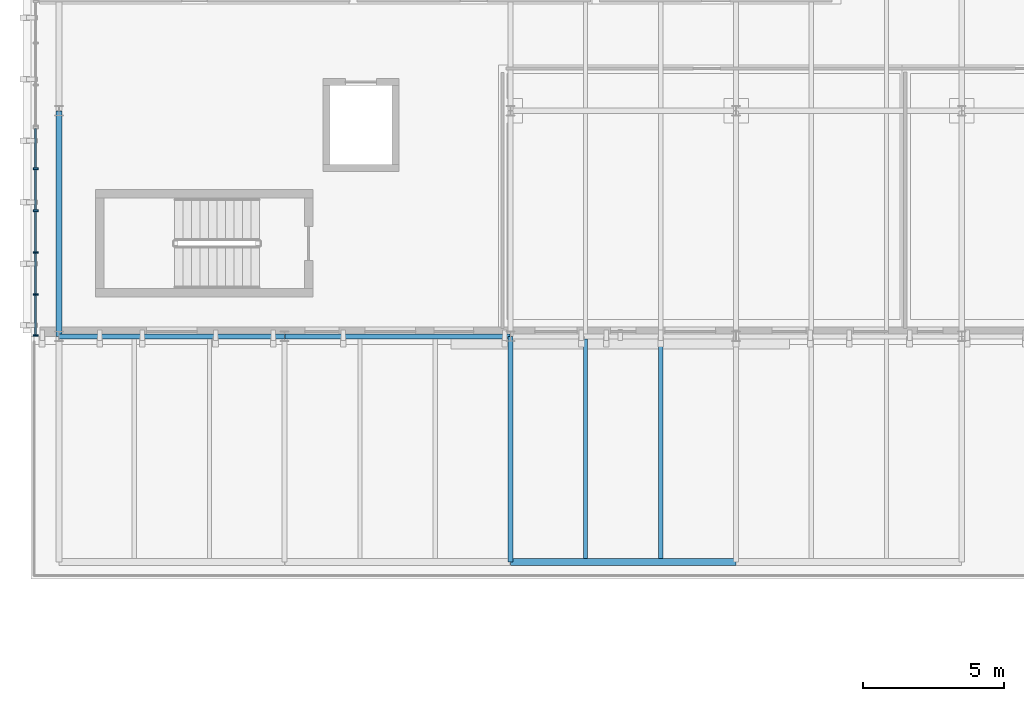
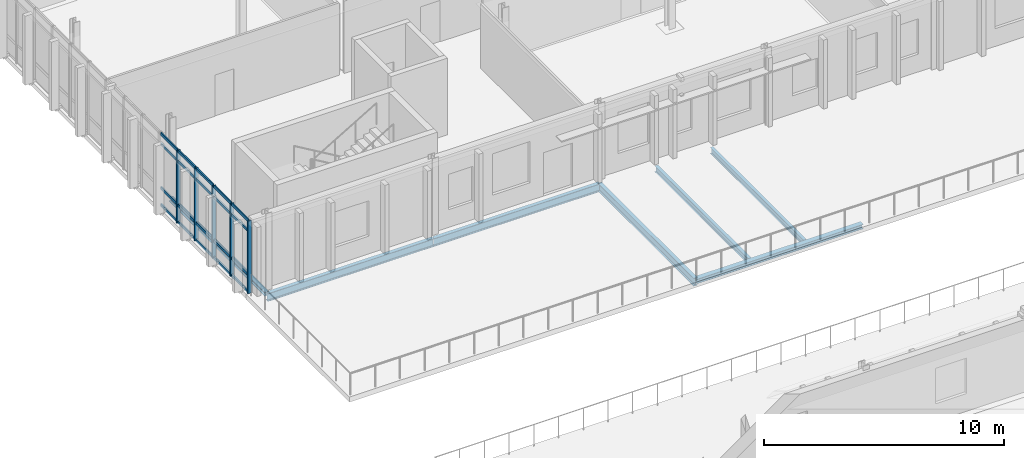
# One storey, part 7 of 43: 25 members, 7 beams, 1 element without a shape of its own.
"""IFC4 building model written with IfcOpenShell, lengths in metres."""

from ifc_helpers import new_model, si_unit, direction, frame, origin, origin_2d, place, context, subcontext, project, spatial, rectangle, i_section, extrude, material, material_profile, profile_set, type_object, element, aggregate, save


model = new_model("IFC4")

# Units and contexts
model_context = context("Model", 3, precision=1e-05, world=origin(), true_north=direction((0.0, 1.0)))
body_context = subcontext(model_context, "Body", "Model", "MODEL_VIEW")
ifc_project = project(units=[si_unit("LENGTHUNIT", "METRE"), si_unit("AREAUNIT", "SQUARE_METRE"), si_unit("VOLUMEUNIT", "CUBIC_METRE"), si_unit("PLANEANGLEUNIT", "RADIAN"), si_unit("MASSUNIT", "GRAM", prefix="KILO")], contexts=[model_context])

# Site, building, storey
site_placement = place(None, origin())
site = spatial("IfcSite", under=ifc_project, at=site_placement, CompositionType="ELEMENT")
building_placement = place(site_placement, origin())
building = spatial("IfcBuilding", under=site, at=building_placement, Name="Cymarion Research Institute", CompositionType="ELEMENT")
storey_placement = place(building_placement, frame((0.0, 0.0, 22.800048828125)))
storey = spatial("IfcBuildingStorey", under=building, at=storey_placement, Name="L05", CompositionType="ELEMENT", Elevation=22.800048828125)

# Curtain wall, members
ifc_material_1 = material(Name="Anodised aluminium unitised curtain wall with Low-E glazing", Category="aluminium")
curtain_wall_type = type_object("IfcCurtainWallType", Name="UNITISED CURTAIN WALL CW56 7430X3680", PredefinedType="NOTDEFINED", material=ifc_material_1)
curtain_wall_placement = place(storey_placement, origin())
curtain_wall = element("IfcCurtainWall", 1, at=curtain_wall_placement, inside=storey, type_object=curtain_wall_type, Name="L05 V5 unitised curtain wall CW56 #214", PredefinedType="NOTDEFINED")
ifc_material_2 = material(Name="Anodised aluminium framing", Category="aluminium")
ifc_material_profile_1 = material_profile(ifc_material_2, rectangle(XDim=0.06005859375, YDim=0.179931640625, at=origin_2d()), Name="ALU MULLION 60x180")
ifc_profile_set_1 = profile_set([ifc_material_profile_1], Name="Anodised aluminium framing")
member_type_1 = type_object("IfcMemberType", Name="CURTAIN WALL MULLION ML01 60X180", PredefinedType="MULLION", material=ifc_profile_set_1)
member_1_placement = place(storey_placement, frame((5.77001953125, 99.44091796875, 0.0), z_axis=(0.0, 0.0, 1.0), x_axis=(0.0, -1.0, 0.0)))
member_1 = element("IfcMember", 2, at=member_1_placement, type_object=member_type_1, Name="CW56 mullion 2", PredefinedType="MULLION", context=body_context, shape_type="SweptSolid", body=[
    extrude(rectangle(XDim=0.06005859375, YDim=0.179931640625, at=origin_2d()), origin(), (0.0, 0.0, 1.0), 3.679931640625),
])
member_2_placement = place(storey_placement, frame((5.77001953125, 97.95556640625, 0.0), z_axis=(0.0, 0.0, 1.0), x_axis=(0.0, -1.0, 0.0)))
member_2 = element("IfcMember", 3, at=member_2_placement, type_object=member_type_1, Name="CW56 mullion 3", PredefinedType="MULLION", context=body_context, shape_type="SweptSolid", body=[
    extrude(rectangle(XDim=0.06005859375, YDim=0.179931640625, at=origin_2d()), origin(), (0.0, 0.0, 1.0), 3.679931640625),
])
member_3_placement = place(storey_placement, frame((5.77001953125, 96.470458984375, 0.0), z_axis=(0.0, 0.0, 1.0), x_axis=(0.0, -1.0, 0.0)))
member_3 = element("IfcMember", 4, at=member_3_placement, type_object=member_type_1, Name="CW56 mullion 4", PredefinedType="MULLION", context=body_context, shape_type="SweptSolid", body=[
    extrude(rectangle(XDim=0.06005859375, YDim=0.179931640625, at=origin_2d()), origin(), (0.0, 0.0, 1.0), 3.679931640625),
])
member_4_placement = place(storey_placement, frame((5.77001953125, 94.985107421875, 0.0), z_axis=(0.0, 0.0, 1.0), x_axis=(0.0, -1.0, 0.0)))
member_4 = element("IfcMember", 5, at=member_4_placement, type_object=member_type_1, Name="CW56 mullion 5", PredefinedType="MULLION", context=body_context, shape_type="SweptSolid", body=[
    extrude(rectangle(XDim=0.06005859375, YDim=0.179931640625, at=origin_2d()), origin(), (0.0, 0.0, 1.0), 3.679931640625),
])
member_5_placement = place(storey_placement, frame((5.77001953125, 93.530029296875, 0.0), z_axis=(0.0, 0.0, 1.0), x_axis=(0.0, -1.0, 0.0)))
member_5 = element("IfcMember", 6, at=member_5_placement, type_object=member_type_1, Name="CW56 mullion 6", PredefinedType="MULLION", context=body_context, shape_type="SweptSolid", body=[
    extrude(rectangle(XDim=0.06005859375, YDim=0.179931640625, at=origin_2d()), origin(), (0.0, 0.0, 1.0), 3.679931640625),
])
ifc_material_profile_2 = material_profile(ifc_material_2, rectangle(XDim=0.06005859375, YDim=0.14990234375, at=origin_2d()), Name="ALU TRANSOM 60x150")
ifc_profile_set_2 = profile_set([ifc_material_profile_2], Name="Anodised aluminium framing")
member_type_2 = type_object("IfcMemberType", Name="CURTAIN WALL TRANSOM TR01 60X150", PredefinedType="USERDEFINED", material=ifc_profile_set_2)
member_6_placement = place(storey_placement, frame((5.77001953125, 100.865966796875, 0.030029296875), z_axis=(0.0, -1.0, 0.0), x_axis=(1.0, 0.0, 0.0)))
member_6 = element("IfcMember", 7, at=member_6_placement, type_object=member_type_2, Name="CW56 transom 1.1", ObjectType="TRANSOM", PredefinedType="USERDEFINED", context=body_context, shape_type="SweptSolid", body=[
    extrude(rectangle(XDim=0.06005859375, YDim=0.14990234375, at=origin_2d()), origin(), (0.0, 0.0, 1.0), 1.395263671875),
])
member_7_placement = place(storey_placement, frame((5.77001953125, 100.865966796875, 0.89990234375), z_axis=(0.0, -1.0, 0.0), x_axis=(1.0, 0.0, 0.0)))
member_7 = element("IfcMember", 8, at=member_7_placement, type_object=member_type_2, Name="CW56 transom 1.2", ObjectType="TRANSOM", PredefinedType="USERDEFINED", context=body_context, shape_type="SweptSolid", body=[
    extrude(rectangle(XDim=0.06005859375, YDim=0.14990234375, at=origin_2d()), origin(), (0.0, 0.0, 1.0), 1.395263671875),
])
member_8_placement = place(storey_placement, frame((5.77001953125, 100.865966796875, 3.1298828125), z_axis=(0.0, -1.0, 0.0), x_axis=(1.0, 0.0, 0.0)))
member_8 = element("IfcMember", 9, at=member_8_placement, type_object=member_type_2, Name="CW56 transom 1.3", ObjectType="TRANSOM", PredefinedType="USERDEFINED", context=body_context, shape_type="SweptSolid", body=[
    extrude(rectangle(XDim=0.06005859375, YDim=0.14990234375, at=origin_2d()), origin(), (0.0, 0.0, 1.0), 1.395263671875),
])
member_9_placement = place(storey_placement, frame((5.77001953125, 100.865966796875, 3.64990234375), z_axis=(0.0, -1.0, 0.0), x_axis=(1.0, 0.0, 0.0)))
member_9 = element("IfcMember", 10, at=member_9_placement, type_object=member_type_2, Name="CW56 transom 1.4", ObjectType="TRANSOM", PredefinedType="USERDEFINED", context=body_context, shape_type="SweptSolid", body=[
    extrude(rectangle(XDim=0.06005859375, YDim=0.14990234375, at=origin_2d()), origin(), (0.0, 0.0, 1.0), 1.395263671875),
])
member_10_placement = place(storey_placement, frame((5.77001953125, 99.410888671875, 0.030029296875), z_axis=(0.0, -1.0, 0.0), x_axis=(1.0, 0.0, 0.0)))
member_10 = element("IfcMember", 11, at=member_10_placement, type_object=member_type_2, Name="CW56 transom 2.1", ObjectType="TRANSOM", PredefinedType="USERDEFINED", context=body_context, shape_type="SweptSolid", body=[
    extrude(rectangle(XDim=0.06005859375, YDim=0.14990234375, at=origin_2d()), origin(), (0.0, 0.0, 1.0), 1.42529296875),
])
member_11_placement = place(storey_placement, frame((5.77001953125, 99.410888671875, 0.89990234375), z_axis=(0.0, -1.0, 0.0), x_axis=(1.0, 0.0, 0.0)))
member_11 = element("IfcMember", 12, at=member_11_placement, type_object=member_type_2, Name="CW56 transom 2.2", ObjectType="TRANSOM", PredefinedType="USERDEFINED", context=body_context, shape_type="SweptSolid", body=[
    extrude(rectangle(XDim=0.06005859375, YDim=0.14990234375, at=origin_2d()), origin(), (0.0, 0.0, 1.0), 1.42529296875),
])
member_12_placement = place(storey_placement, frame((5.77001953125, 99.410888671875, 3.1298828125), z_axis=(0.0, -1.0, 0.0), x_axis=(1.0, 0.0, 0.0)))
member_12 = element("IfcMember", 13, at=member_12_placement, type_object=member_type_2, Name="CW56 transom 2.3", ObjectType="TRANSOM", PredefinedType="USERDEFINED", context=body_context, shape_type="SweptSolid", body=[
    extrude(rectangle(XDim=0.06005859375, YDim=0.14990234375, at=origin_2d()), origin(), (0.0, 0.0, 1.0), 1.42529296875),
])
member_13_placement = place(storey_placement, frame((5.77001953125, 99.410888671875, 3.64990234375), z_axis=(0.0, -1.0, 0.0), x_axis=(1.0, 0.0, 0.0)))
member_13 = element("IfcMember", 14, at=member_13_placement, type_object=member_type_2, Name="CW56 transom 2.4", ObjectType="TRANSOM", PredefinedType="USERDEFINED", context=body_context, shape_type="SweptSolid", body=[
    extrude(rectangle(XDim=0.06005859375, YDim=0.14990234375, at=origin_2d()), origin(), (0.0, 0.0, 1.0), 1.42529296875),
])
member_14_placement = place(storey_placement, frame((5.77001953125, 97.925537109375, 0.030029296875), z_axis=(0.0, -1.0, 0.0), x_axis=(1.0, 0.0, 0.0)))
member_14 = element("IfcMember", 15, at=member_14_placement, type_object=member_type_2, Name="CW56 transom 3.1", ObjectType="TRANSOM", PredefinedType="USERDEFINED", context=body_context, shape_type="SweptSolid", body=[
    extrude(rectangle(XDim=0.06005859375, YDim=0.14990234375, at=origin_2d()), origin(), (0.0, 0.0, 1.0), 1.425048828125),
])
member_15_placement = place(storey_placement, frame((5.77001953125, 97.925537109375, 0.89990234375), z_axis=(0.0, -1.0, 0.0), x_axis=(1.0, 0.0, 0.0)))
member_15 = element("IfcMember", 16, at=member_15_placement, type_object=member_type_2, Name="CW56 transom 3.2", ObjectType="TRANSOM", PredefinedType="USERDEFINED", context=body_context, shape_type="SweptSolid", body=[
    extrude(rectangle(XDim=0.06005859375, YDim=0.14990234375, at=origin_2d()), origin(), (0.0, 0.0, 1.0), 1.425048828125),
])
member_16_placement = place(storey_placement, frame((5.77001953125, 97.925537109375, 3.1298828125), z_axis=(0.0, -1.0, 0.0), x_axis=(1.0, 0.0, 0.0)))
member_16 = element("IfcMember", 17, at=member_16_placement, type_object=member_type_2, Name="CW56 transom 3.3", ObjectType="TRANSOM", PredefinedType="USERDEFINED", context=body_context, shape_type="SweptSolid", body=[
    extrude(rectangle(XDim=0.06005859375, YDim=0.14990234375, at=origin_2d()), origin(), (0.0, 0.0, 1.0), 1.425048828125),
])
member_17_placement = place(storey_placement, frame((5.77001953125, 97.925537109375, 3.64990234375), z_axis=(0.0, -1.0, 0.0), x_axis=(1.0, 0.0, 0.0)))
member_17 = element("IfcMember", 18, at=member_17_placement, type_object=member_type_2, Name="CW56 transom 3.4", ObjectType="TRANSOM", PredefinedType="USERDEFINED", context=body_context, shape_type="SweptSolid", body=[
    extrude(rectangle(XDim=0.06005859375, YDim=0.14990234375, at=origin_2d()), origin(), (0.0, 0.0, 1.0), 1.425048828125),
])
member_18_placement = place(storey_placement, frame((5.77001953125, 96.4404296875, 0.030029296875), z_axis=(0.0, -1.0, 0.0), x_axis=(1.0, 0.0, 0.0)))
member_18 = element("IfcMember", 19, at=member_18_placement, type_object=member_type_2, Name="CW56 transom 4.1", ObjectType="TRANSOM", PredefinedType="USERDEFINED", context=body_context, shape_type="SweptSolid", body=[
    extrude(rectangle(XDim=0.06005859375, YDim=0.14990234375, at=origin_2d()), origin(), (0.0, 0.0, 1.0), 1.42529296875),
])
member_19_placement = place(storey_placement, frame((5.77001953125, 96.4404296875, 0.89990234375), z_axis=(0.0, -1.0, 0.0), x_axis=(1.0, 0.0, 0.0)))
member_19 = element("IfcMember", 20, at=member_19_placement, type_object=member_type_2, Name="CW56 transom 4.2", ObjectType="TRANSOM", PredefinedType="USERDEFINED", context=body_context, shape_type="SweptSolid", body=[
    extrude(rectangle(XDim=0.06005859375, YDim=0.14990234375, at=origin_2d()), origin(), (0.0, 0.0, 1.0), 1.42529296875),
])
member_20_placement = place(storey_placement, frame((5.77001953125, 96.4404296875, 3.1298828125), z_axis=(0.0, -1.0, 0.0), x_axis=(1.0, 0.0, 0.0)))
member_20 = element("IfcMember", 21, at=member_20_placement, type_object=member_type_2, Name="CW56 transom 4.3", ObjectType="TRANSOM", PredefinedType="USERDEFINED", context=body_context, shape_type="SweptSolid", body=[
    extrude(rectangle(XDim=0.06005859375, YDim=0.14990234375, at=origin_2d()), origin(), (0.0, 0.0, 1.0), 1.42529296875),
])
member_21_placement = place(storey_placement, frame((5.77001953125, 96.4404296875, 3.64990234375), z_axis=(0.0, -1.0, 0.0), x_axis=(1.0, 0.0, 0.0)))
member_21 = element("IfcMember", 22, at=member_21_placement, type_object=member_type_2, Name="CW56 transom 4.4", ObjectType="TRANSOM", PredefinedType="USERDEFINED", context=body_context, shape_type="SweptSolid", body=[
    extrude(rectangle(XDim=0.06005859375, YDim=0.14990234375, at=origin_2d()), origin(), (0.0, 0.0, 1.0), 1.42529296875),
])
member_22_placement = place(storey_placement, frame((5.77001953125, 94.955078125, 0.030029296875), z_axis=(0.0, -1.0, 0.0), x_axis=(1.0, 0.0, 0.0)))
member_22 = element("IfcMember", 23, at=member_22_placement, type_object=member_type_2, Name="CW56 transom 5.1", ObjectType="TRANSOM", PredefinedType="USERDEFINED", context=body_context, shape_type="SweptSolid", body=[
    extrude(rectangle(XDim=0.06005859375, YDim=0.14990234375, at=origin_2d()), origin(), (0.0, 0.0, 1.0), 1.39501953125),
])
member_23_placement = place(storey_placement, frame((5.77001953125, 94.955078125, 0.89990234375), z_axis=(0.0, -1.0, 0.0), x_axis=(1.0, 0.0, 0.0)))
member_23 = element("IfcMember", 24, at=member_23_placement, type_object=member_type_2, Name="CW56 transom 5.2", ObjectType="TRANSOM", PredefinedType="USERDEFINED", context=body_context, shape_type="SweptSolid", body=[
    extrude(rectangle(XDim=0.06005859375, YDim=0.14990234375, at=origin_2d()), origin(), (0.0, 0.0, 1.0), 1.39501953125),
])
member_24_placement = place(storey_placement, frame((5.77001953125, 94.955078125, 3.1298828125), z_axis=(0.0, -1.0, 0.0), x_axis=(1.0, 0.0, 0.0)))
member_24 = element("IfcMember", 25, at=member_24_placement, type_object=member_type_2, Name="CW56 transom 5.3", ObjectType="TRANSOM", PredefinedType="USERDEFINED", context=body_context, shape_type="SweptSolid", body=[
    extrude(rectangle(XDim=0.06005859375, YDim=0.14990234375, at=origin_2d()), origin(), (0.0, 0.0, 1.0), 1.39501953125),
])
member_25_placement = place(storey_placement, frame((5.77001953125, 94.955078125, 3.64990234375), z_axis=(0.0, -1.0, 0.0), x_axis=(1.0, 0.0, 0.0)))
member_25 = element("IfcMember", 26, at=member_25_placement, type_object=member_type_2, Name="CW56 transom 5.4", ObjectType="TRANSOM", PredefinedType="USERDEFINED", context=body_context, shape_type="SweptSolid", body=[
    extrude(rectangle(XDim=0.06005859375, YDim=0.14990234375, at=origin_2d()), origin(), (0.0, 0.0, 1.0), 1.39501953125),
])
aggregate(curtain_wall, [member_1, member_2, member_3, member_4, member_5, member_6, member_7, member_8, member_9, member_10, member_11, member_12, member_13, member_14, member_15, member_16, member_17, member_18, member_19, member_20, member_21, member_22, member_23, member_24, member_25])

# Beams
ifc_material_3 = material(Name="Steel S355", Category="steel")
ifc_material_profile_3 = material_profile(ifc_material_3, i_section(OverallWidth=0.179931640625, OverallDepth=0.39990234375, WebThickness=0.008544921875, FlangeThickness=0.013427734375, FilletRadius=0.02099609375, at=origin_2d()), Name="IPE 400")
ifc_profile_set_3 = profile_set([ifc_material_profile_3], Name="Steel S355")
beam_type_1 = type_object("IfcBeamType", Name="PRIMARY GIRDER BM05 IPE 400", PredefinedType="BEAM", material=ifc_profile_set_3)
for number, where, z_axis, x_axis, name in (
    (27, (6.60595703125, 93.5, -0.4599609375), (1.0, 0.0, 0.0), (0.0, 1.0, 0.0), "L05 V5 girder BM05 #1974"),
    (28, (14.60595703125, 93.5, -0.4599609375), (1.0, 0.0, 0.0), (0.0, 1.0, 0.0), "L05 V5 girder BM05 #1975"),
):
    element("IfcBeam", number, at=place(storey_placement, frame(where, z_axis=z_axis, x_axis=x_axis)), inside=storey, type_object=beam_type_1, Name=name, PredefinedType="BEAM", context=body_context, shape_type="SweptSolid", body=[
        extrude(i_section(OverallWidth=0.179931640625, OverallDepth=0.39990234375, WebThickness=0.008544921875, FlangeThickness=0.013427734375, FilletRadius=0.02099609375, at=origin_2d()), origin(), (0.0, 0.0, 1.0), 7.988037109375),
    ])
beam_1_placement = place(storey_placement, frame((22.60009765625, 85.506103515625, -0.4599609375), z_axis=(0.0, 1.0, 0.0), x_axis=(-1.0, 0.0, 0.0)))
element("IfcBeam", 29, at=beam_1_placement, inside=storey, type_object=beam_type_1, Name="L05 V5 girder BM05 #1998", PredefinedType="BEAM", context=body_context, shape_type="SweptSolid", body=[
    extrude(i_section(OverallWidth=0.179931640625, OverallDepth=0.39990234375, WebThickness=0.008544921875, FlangeThickness=0.013427734375, FilletRadius=0.02099609375, at=origin_2d()), origin(), (0.0, 0.0, 1.0), 7.98779296875),
])
ifc_material_profile_4 = material_profile(ifc_material_3, i_section(OverallWidth=0.14990234375, OverallDepth=0.300048828125, WebThickness=0.007080078125, FlangeThickness=0.0107421875, FilletRadius=0.014892578125, at=origin_2d()), Name="IPE 300")
ifc_profile_set_4 = profile_set([ifc_material_profile_4], Name="Steel S355")
beam_type_2 = type_object("IfcBeamType", Name="SECONDARY JOIST JS02 IPE 300", PredefinedType="JOIST", material=ifc_profile_set_4)
for number, where, z_axis, x_axis, name in (
    (30, (25.2666015625, 85.6240234375, -0.41015625), (0.0, 1.0, 0.0), (-1.0, 0.0, 0.0), "L05 V5 secondary joist JS02 #2016"),
    (31, (27.933349609375, 85.6240234375, -0.41015625), (0.0, 1.0, 0.0), (-1.0, 0.0, 0.0), "L05 V5 secondary joist JS02 #2017"),
):
    element("IfcBeam", number, at=place(storey_placement, frame(where, z_axis=z_axis, x_axis=x_axis)), inside=storey, type_object=beam_type_2, Name=name, PredefinedType="JOIST", context=body_context, shape_type="SweptSolid", body=[
        extrude(i_section(OverallWidth=0.14990234375, OverallDepth=0.300048828125, WebThickness=0.007080078125, FlangeThickness=0.0107421875, FilletRadius=0.014892578125, at=origin_2d()), origin(), (0.0, 0.0, 1.0), 7.781982421875),
    ])
ifc_material_profile_5 = material_profile(ifc_material_3, i_section(OverallWidth=0.239990234375, OverallDepth=0.22998046875, WebThickness=0.007568359375, FlangeThickness=0.011962890625, FilletRadius=0.02099609375, at=origin_2d()), Name="HEA 240")
ifc_profile_set_5 = profile_set([ifc_material_profile_5], Name="Steel S355")
beam_type_3 = type_object("IfcBeamType", Name="SPANDREL BEAM SPB03 HEA 240", PredefinedType="SPANDREL", material=ifc_profile_set_5)
beam_2_placement = place(storey_placement, frame((22.60595703125, 85.5, -0.375), z_axis=(1.0, 0.0, 0.0), x_axis=(0.0, 1.0, 0.0)))
element("IfcBeam", 32, at=beam_2_placement, inside=storey, type_object=beam_type_3, Name="L05 V5 girder SPB03 #1972", PredefinedType="SPANDREL", context=body_context, shape_type="SweptSolid", body=[
    extrude(i_section(OverallWidth=0.239990234375, OverallDepth=0.22998046875, WebThickness=0.007568359375, FlangeThickness=0.011962890625, FilletRadius=0.02099609375, at=origin_2d()), origin(), (0.0, 0.0, 1.0), 7.988037109375),
])
ifc_material_profile_6 = material_profile(ifc_material_3, i_section(OverallWidth=0.199951171875, OverallDepth=0.18994140625, WebThickness=0.006591796875, FlangeThickness=0.010009765625, FilletRadius=0.01806640625, at=origin_2d()), Name="HEA 200")
ifc_profile_set_6 = profile_set([ifc_material_profile_6], Name="Steel S355")
beam_type_4 = type_object("IfcBeamType", Name="SPANDREL BEAM SPB04 HEA 200", PredefinedType="SPANDREL", material=ifc_profile_set_6)
beam_3_placement = place(storey_placement, frame((6.60009765625, 93.506103515625, -0.31494140625), z_axis=(0.0, 1.0, 0.0), x_axis=(-1.0, 0.0, 0.0)))
element("IfcBeam", 33, at=beam_3_placement, inside=storey, type_object=beam_type_4, Name="L05 V5 girder SPB04 #1993", PredefinedType="SPANDREL", context=body_context, shape_type="SweptSolid", body=[
    extrude(i_section(OverallWidth=0.199951171875, OverallDepth=0.18994140625, WebThickness=0.006591796875, FlangeThickness=0.010009765625, FilletRadius=0.01806640625, at=origin_2d()), origin(), (0.0, 0.0, 1.0), 7.98779296875),
])

save(model, "model.ifc")
